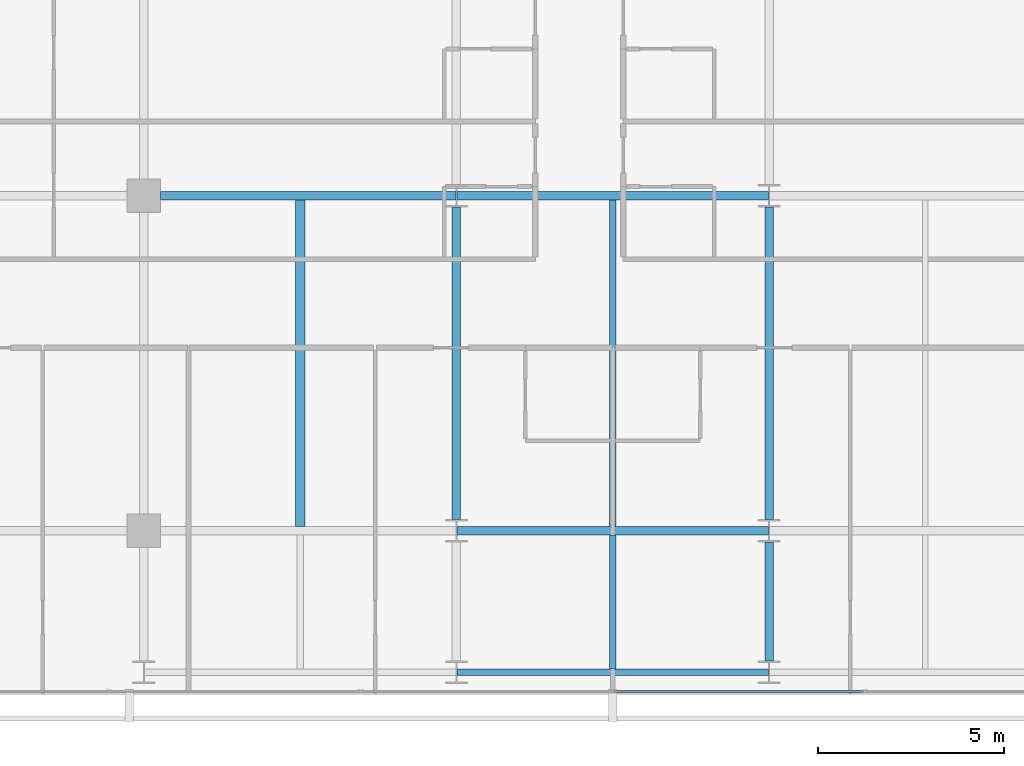
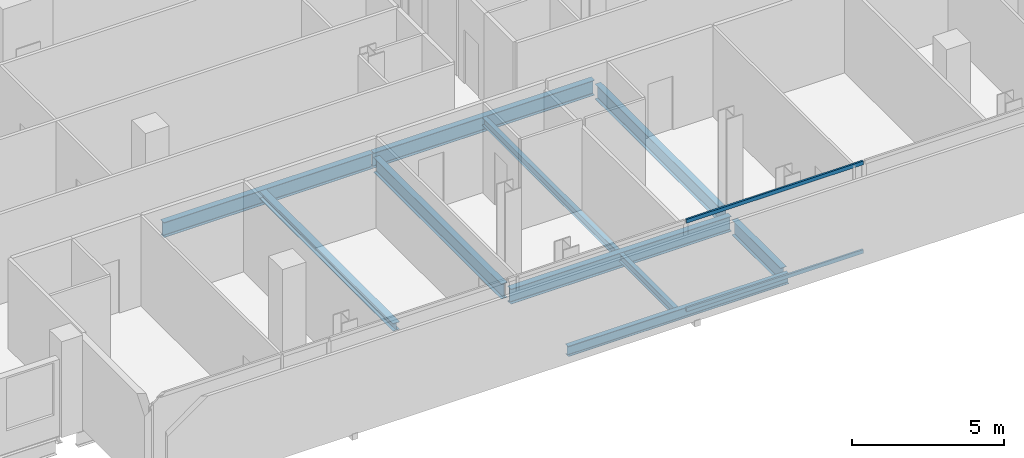
# One storey, part 7 of 34: 10 beams, 2 members, 1 element without a shape of its own.
"""IFC4 building model written with IfcOpenShell, lengths in metres."""

from ifc_helpers import new_model, si_unit, direction, frame, origin, origin_2d, place, context, subcontext, project, spatial, hollow_rectangle, i_section, extrude, material, layer, layer_set, material_profile, profile_set, type_object, element, aggregate, save


model = new_model("IFC4")

# Units and contexts
model_context = context("Model", 3, precision=1e-05, world=origin(), true_north=direction((0.0, 1.0)))
body_context = subcontext(model_context, "Body", "Model", "MODEL_VIEW")
ifc_project = project(units=[si_unit("LENGTHUNIT", "METRE"), si_unit("AREAUNIT", "SQUARE_METRE"), si_unit("VOLUMEUNIT", "CUBIC_METRE"), si_unit("PLANEANGLEUNIT", "RADIAN"), si_unit("MASSUNIT", "GRAM", prefix="KILO")], contexts=[model_context])

# Site, building, storey
site_placement = place(None, origin())
site = spatial("IfcSite", under=ifc_project, at=site_placement, CompositionType="ELEMENT")
building_placement = place(site_placement, origin())
building = spatial("IfcBuilding", under=site, at=building_placement, Name="Maruvema Waterfront Hotel and Observation Tower", CompositionType="ELEMENT")
storey_placement = place(building_placement, frame((0.0, 0.0, 192.85009765625)))
storey = spatial("IfcBuildingStorey", under=building, at=storey_placement, Name="L47", CompositionType="ELEMENT", Elevation=192.85009765625)

# Curtain wall, members
ifc_material_1 = material(Name="Anodised bronze aluminium and solar-control low-E IGU", Category="aluminium")
ifc_layer = layer(ifc_material_1, 0.159912109375, Name="Zone 2 Amber Inner Thermal Curtain Wall System CW-03")
ifc_layer_set = layer_set([ifc_layer], Name="Anodised bronze aluminium and solar-control low-E IGU")
curtain_wall_type = type_object("IfcCurtainWallType", Name="Zone 2 Amber Inner Thermal Curtain Wall System CW-03", PredefinedType="USERDEFINED", material=ifc_layer_set)
curtain_wall_placement = place(storey_placement, origin())
curtain_wall = element("IfcCurtainWall", 1, at=curtain_wall_placement, inside=storey, type_object=curtain_wall_type, Name="L47 Curtain Wall CW-L47-S", ObjectType="UNITISED CURTAIN WALL", PredefinedType="USERDEFINED")
ifc_material_2 = material(Name="Anodised architectural bronze aluminium", Category="aluminium")
ifc_material_profile_1 = material_profile(ifc_material_2, hollow_rectangle(XDim=0.070068359375, YDim=0.14990234375, WallThickness=0.00390625, at=origin_2d()), Name="ALU-T70x150")
ifc_profile_set_1 = profile_set([ifc_material_profile_1], Name="Anodised architectural bronze aluminium")
member_type = type_object("IfcMemberType", Name="Curtain Wall Horizontal Transom ALU-T70x150", PredefinedType="USERDEFINED", material=ifc_profile_set_1)
member_1_placement = place(storey_placement, frame((37.830078125, 4.679931640625, 0.02978515625), z_axis=(1.0, 0.0, 0.0), x_axis=(0.0, 1.0, 0.0)))
member_1 = element("IfcMember", 2, at=member_1_placement, type_object=member_type, Name="CW-03 transom 4.1", ObjectType="TRANSOM", PredefinedType="USERDEFINED", context=body_context, shape_type="SweptSolid", body=[
    extrude(hollow_rectangle(XDim=0.070068359375, YDim=0.14990234375, WallThickness=0.00390625, at=origin_2d()), origin(), (0.0, 0.0, 1.0), 6.70654296875),
])
member_2_placement = place(storey_placement, frame((37.830078125, 4.679931640625, 3.579833984375), z_axis=(1.0, 0.0, 0.0), x_axis=(0.0, 1.0, 0.0)))
member_2 = element("IfcMember", 3, at=member_2_placement, type_object=member_type, Name="CW-03 transom 4.2", ObjectType="TRANSOM", PredefinedType="USERDEFINED", context=body_context, shape_type="SweptSolid", body=[
    extrude(hollow_rectangle(XDim=0.070068359375, YDim=0.14990234375, WallThickness=0.00390625, at=origin_2d()), origin(), (0.0, 0.0, 1.0), 6.70654296875),
])
aggregate(curtain_wall, [member_1, member_2])

# Beams
ifc_material_3 = material(Name="Steel ASTM A572 Grade 50", Category="steel")
ifc_material_profile_2 = material_profile(ifc_material_3, i_section(OverallWidth=0.180908203125, OverallDepth=0.4169921875, WebThickness=0.010986328125, FlangeThickness=0.018310546875, FilletRadius=0.014892578125, at=origin_2d()), Name="W410x85.0")
ifc_profile_set_2 = profile_set([ifc_material_profile_2], Name="Steel ASTM A572 Grade 50")
beam_type_1 = type_object("IfcBeamType", Name="Perimeter Spandrel Beam W410x85.0", PredefinedType="SPANDREL", material=ifc_profile_set_2)
beam_1_placement = place(storey_placement, frame((33.612548828125, 5.199951171875, -0.448486328125), z_axis=(1.0, 0.0, 0.0), x_axis=(0.0, 1.0, 0.0)))
element("IfcBeam", 4, at=beam_1_placement, inside=storey, type_object=beam_type_1, Name="L47 Floor Girder EW-02", PredefinedType="SPANDREL", context=body_context, shape_type="SweptSolid", body=[
    extrude(i_section(OverallWidth=0.180908203125, OverallDepth=0.4169921875, WebThickness=0.010986328125, FlangeThickness=0.018310546875, FilletRadius=0.014892578125, at=origin_2d()), origin(), (0.0, 0.0, 1.0), 8.375),
])
ifc_material_4 = material(Name="Steel ASTM A572 Grade 50", Category="steel")
ifc_material_profile_3 = material_profile(ifc_material_4, i_section(OverallWidth=0.22802734375, OverallDepth=0.60302734375, WebThickness=0.010498046875, FlangeThickness=0.014892578125, FilletRadius=0.01806640625, at=origin_2d()), Name="W610x101.0")
ifc_profile_set_3 = profile_set([ifc_material_profile_3], Name="Steel ASTM A572 Grade 50")
beam_type_2 = type_object("IfcBeamType", Name="Primary Floor Girder W610x101.0", PredefinedType="BEAM", material=ifc_profile_set_3)
beam_2_placement = place(storey_placement, frame((33.612548828125, 9.0, -0.54150390625), z_axis=(1.0, 0.0, 0.0), x_axis=(0.0, 1.0, 0.0)))
element("IfcBeam", 5, at=beam_2_placement, inside=storey, type_object=beam_type_2, Name="L47 Floor Girder EW-07", PredefinedType="BEAM", context=body_context, shape_type="SweptSolid", body=[
    extrude(i_section(OverallWidth=0.22802734375, OverallDepth=0.60302734375, WebThickness=0.010498046875, FlangeThickness=0.014892578125, FilletRadius=0.01806640625, at=origin_2d()), origin(), (0.0, 0.0, 1.0), 8.375),
])
beam_3_placement = place(storey_placement, frame((25.64990234375, 18.0, -0.54150390625), z_axis=(1.0, 0.0, 0.0), x_axis=(0.0, 1.0, 0.0)))
element("IfcBeam", 6, at=beam_3_placement, inside=storey, type_object=beam_type_2, Name="L47 Floor Girder EW-13", PredefinedType="BEAM", context=body_context, shape_type="SweptSolid", body=[
    extrude(i_section(OverallWidth=0.22802734375, OverallDepth=0.60302734375, WebThickness=0.010498046875, FlangeThickness=0.014892578125, FilletRadius=0.01806640625, at=origin_2d()), origin(), (0.0, 0.0, 1.0), 7.9375),
])
beam_4_placement = place(storey_placement, frame((33.612548828125, 18.0, -0.54150390625), z_axis=(1.0, 0.0, 0.0), x_axis=(0.0, 1.0, 0.0)))
element("IfcBeam", 7, at=beam_4_placement, inside=storey, type_object=beam_type_2, Name="L47 Floor Girder EW-14", PredefinedType="BEAM", context=body_context, shape_type="SweptSolid", body=[
    extrude(i_section(OverallWidth=0.22802734375, OverallDepth=0.60302734375, WebThickness=0.010498046875, FlangeThickness=0.014892578125, FilletRadius=0.01806640625, at=origin_2d()), origin(), (0.0, 0.0, 1.0), 8.375),
])
beam_5_placement = place(storey_placement, frame((33.60009765625, 9.300048828125, -0.54150390625), z_axis=(0.0, 1.0, 0.0), x_axis=(-1.0, 0.0, 0.0)))
element("IfcBeam", 8, at=beam_5_placement, inside=storey, type_object=beam_type_2, Name="L47 Floor Girder NS-15", PredefinedType="BEAM", context=body_context, shape_type="SweptSolid", body=[
    extrude(i_section(OverallWidth=0.22802734375, OverallDepth=0.60302734375, WebThickness=0.010498046875, FlangeThickness=0.014892578125, FilletRadius=0.01806640625, at=origin_2d()), origin(), (0.0, 0.0, 1.0), 8.39990234375),
])
beam_6_placement = place(storey_placement, frame((42.0, 5.5, -0.54150390625), z_axis=(0.0, 1.0, 0.0), x_axis=(-1.0, 0.0, 0.0)))
element("IfcBeam", 9, at=beam_6_placement, inside=storey, type_object=beam_type_2, Name="L47 Floor Girder NS-17", PredefinedType="BEAM", context=body_context, shape_type="SweptSolid", body=[
    extrude(i_section(OverallWidth=0.22802734375, OverallDepth=0.60302734375, WebThickness=0.010498046875, FlangeThickness=0.014892578125, FilletRadius=0.01806640625, at=origin_2d()), origin(), (0.0, 0.0, 1.0), 3.199951171875),
])
beam_7_placement = place(storey_placement, frame((42.0, 9.300048828125, -0.54150390625), z_axis=(0.0, 1.0, 0.0), x_axis=(-1.0, 0.0, 0.0)))
element("IfcBeam", 10, at=beam_7_placement, inside=storey, type_object=beam_type_2, Name="L47 Floor Girder NS-18", PredefinedType="BEAM", context=body_context, shape_type="SweptSolid", body=[
    extrude(i_section(OverallWidth=0.22802734375, OverallDepth=0.60302734375, WebThickness=0.010498046875, FlangeThickness=0.014892578125, FilletRadius=0.01806640625, at=origin_2d()), origin(), (0.0, 0.0, 1.0), 8.39990234375),
])
ifc_material_5 = material(Name="Steel ASTM A572 Grade 50", Category="steel")
ifc_material_profile_4 = material_profile(ifc_material_5, i_section(OverallWidth=0.1650390625, OverallDepth=0.31005859375, WebThickness=0.005859375, FlangeThickness=0.009765625, FilletRadius=0.012939453125, at=origin_2d()), Name="W310x38.7")
ifc_profile_set_4 = profile_set([ifc_material_profile_4], Name="Steel ASTM A572 Grade 50")
beam_type_3 = type_object("IfcBeamType", Name="Secondary Floor Joist W310x38.7", PredefinedType="JOIST", material=ifc_profile_set_4)
beam_8_placement = place(storey_placement, frame((37.800048828125, 9.114013671875, -0.39501953125), z_axis=(0.0, 1.0, 0.0), x_axis=(-1.0, 0.0, 0.0)))
element("IfcBeam", 11, at=beam_8_placement, inside=storey, type_object=beam_type_3, Name="L47 Secondary Floor Joist JS-08", PredefinedType="JOIST", context=body_context, shape_type="SweptSolid", body=[
    extrude(i_section(OverallWidth=0.1650390625, OverallDepth=0.31005859375, WebThickness=0.005859375, FlangeThickness=0.009765625, FilletRadius=0.012939453125, at=origin_2d()), origin(), (0.0, 0.0, 1.0), 8.77197265625),
])
ifc_material_6 = material(Name="Steel ASTM A572 Grade 50", Category="steel")
ifc_material_profile_5 = material_profile(ifc_material_6, i_section(OverallWidth=0.1669921875, OverallDepth=0.31689453125, WebThickness=0.007568359375, FlangeThickness=0.01318359375, FilletRadius=0.012939453125, at=origin_2d()), Name="W310x52.0")
ifc_profile_set_5 = profile_set([ifc_material_profile_5], Name="Steel ASTM A572 Grade 50")
beam_type_4 = type_object("IfcBeamType", Name="Secondary Floor Joist W310x52.0", PredefinedType="JOIST", material=ifc_profile_set_5)
beam_9_placement = place(storey_placement, frame((37.800048828125, 5.29052734375, -0.398681640625), z_axis=(0.0, 1.0, 0.0), x_axis=(-1.0, 0.0, 0.0)))
element("IfcBeam", 12, at=beam_9_placement, inside=storey, type_object=beam_type_4, Name="L47 Secondary Floor Joist JS-07", PredefinedType="JOIST", context=body_context, shape_type="SweptSolid", body=[
    extrude(i_section(OverallWidth=0.1669921875, OverallDepth=0.31689453125, WebThickness=0.007568359375, FlangeThickness=0.01318359375, FilletRadius=0.012939453125, at=origin_2d()), origin(), (0.0, 0.0, 1.0), 3.595458984375),
])
ifc_material_7 = material(Name="Steel ASTM A572 Grade 50", Category="steel")
ifc_material_profile_6 = material_profile(ifc_material_7, i_section(OverallWidth=0.25390625, OverallDepth=0.305908203125, WebThickness=0.0087890625, FlangeThickness=0.0146484375, FilletRadius=0.014892578125, at=origin_2d()), Name="W310x79.0")
ifc_profile_set_6 = profile_set([ifc_material_profile_6], Name="Steel ASTM A572 Grade 50")
beam_type_5 = type_object("IfcBeamType", Name="Secondary Floor Joist W310x79.0", PredefinedType="JOIST", material=ifc_profile_set_6)
beam_10_placement = place(storey_placement, frame((29.39990234375, 9.114013671875, -0.39306640625), z_axis=(0.0, 1.0, 0.0), x_axis=(-1.0, 0.0, 0.0)))
element("IfcBeam", 13, at=beam_10_placement, inside=storey, type_object=beam_type_5, Name="L47 Secondary Floor Joist JS-06", PredefinedType="JOIST", context=body_context, shape_type="SweptSolid", body=[
    extrude(i_section(OverallWidth=0.25390625, OverallDepth=0.305908203125, WebThickness=0.0087890625, FlangeThickness=0.0146484375, FilletRadius=0.014892578125, at=origin_2d()), origin(), (0.0, 0.0, 1.0), 8.77197265625),
])

save(model, "model.ifc")
